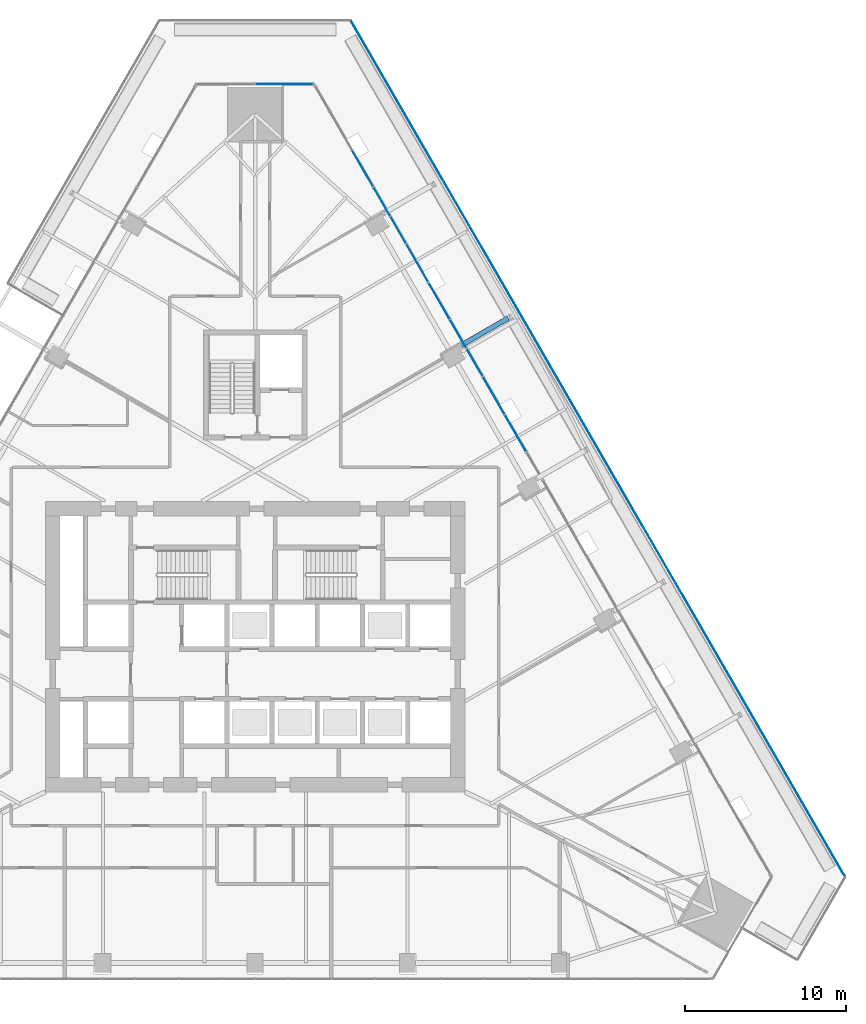
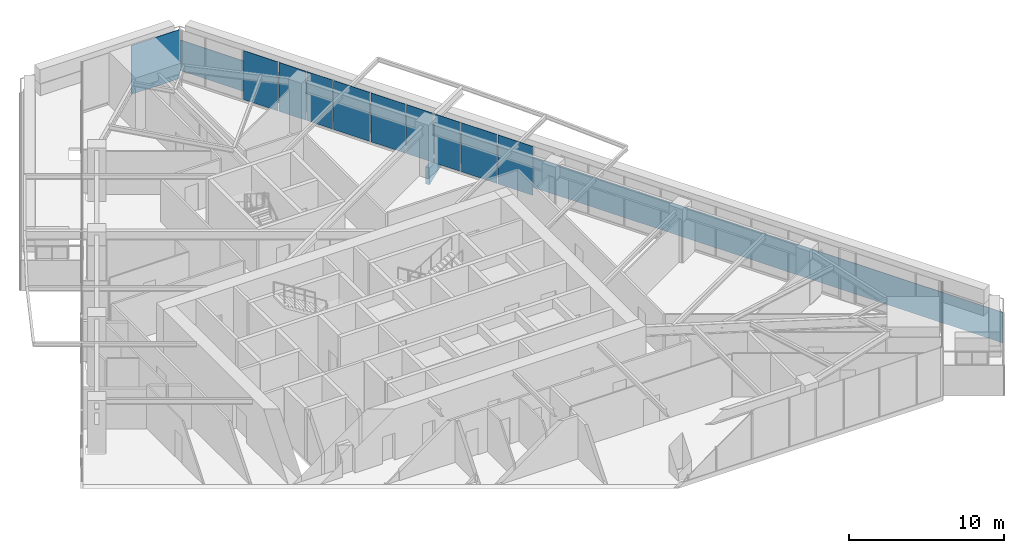
# One storey, part 18 of 29: 12 plates, 2 elements without a shape of their own.
"""IFC4 building model written with IfcOpenShell, lengths in metres."""

import ifcopenshell
import ifcopenshell.guid

model = None  # the IFC model being written
_history = None  # IfcOwnerHistory: only IFC2X3 demands one
_inside = {}  # id of a spatial element -> (the spatial element, [elements in it])
_under = {}  # id of a project, library or spatial element -> (it, [spatial elements below it])
_declared = {}  # id of a project -> (the project, [libraries it declares])
_typed = {}  # id of a type object -> (the type object, [elements of that type])
_made_of = {}  # id of a material, layer set ... -> (it, [elements and type objects made of it])


def new_model(schema):
    """Start an empty IFC model of exactly this schema.

    Asked for "IFC4X3", IfcOpenShell would pick the latest addendum, in which some entities
    have other attributes; the version numbers below select the first issue.
    IFC2X3 requires an IfcOwnerHistory on every rooted entity: one is made here for all.
    """
    global model, _history
    if schema == "IFC4X3":
        model = ifcopenshell.file(schema_version=(4, 3, 0, 0))
    else:
        model = ifcopenshell.file(schema=schema)
    _inside.clear()
    _under.clear()
    _declared.clear()
    _typed.clear()
    _made_of.clear()
    _history = None
    if model.schema == "IFC2X3":
        org = make("IfcOrganization", Name="unknown")
        user = make(
            "IfcPersonAndOrganization",
            ThePerson=make("IfcPerson", FamilyName="unknown"),
            TheOrganization=org,
        )
        app = make(
            "IfcApplication",
            ApplicationDeveloper=org,
            Version="unknown",
            ApplicationFullName="unknown",
            ApplicationIdentifier="unknown",
        )
        _history = make(
            "IfcOwnerHistory",
            OwningUser=user,
            OwningApplication=app,
            ChangeAction="ADDED",
            CreationDate=0,
        )
    return model


def make(cls, **values):
    """One entity of the class cls with the attributes given. An attribute that is None is left unset."""
    return model.create_entity(
        cls, **{name: value for name, value in values.items() if value is not None}
    )


def rooted(cls, **values):
    """An entity with a GlobalId (a new one), such as an element, a storey or a relation."""
    return make(cls, GlobalId=ifcopenshell.guid.new(), OwnerHistory=_history, **values)


def si_unit(unit_type, name, prefix=None):
    """IfcSIUnit, for example si_unit("LENGTHUNIT", "METRE", prefix="MILLI")."""
    return make("IfcSIUnit", UnitType=unit_type, Prefix=prefix, Name=name)


def assignment(units):
    """IfcUnitAssignment: the units of a project."""
    return None if units is None else make("IfcUnitAssignment", Units=units)


def point(xyz):
    """IfcCartesianPoint."""
    return None if xyz is None else make("IfcCartesianPoint", Coordinates=xyz)


def direction(xyz):
    """IfcDirection."""
    return None if xyz is None else make("IfcDirection", DirectionRatios=xyz)


def frame(location, z_axis=None, x_axis=None):
    """IfcAxis2Placement3D, a coordinate frame: its origin and axes. An axis left out is left unset."""
    return make(
        "IfcAxis2Placement3D",
        Location=point(location),
        Axis=direction(z_axis),
        RefDirection=direction(x_axis),
    )


def origin():
    """The frame at (0, 0, 0) with its axes left unset."""
    return frame((0.0, 0.0, 0.0))


def place(relative_to, where):
    """IfcLocalPlacement: puts the frame where relative to a parent placement (None: the world)."""
    return make(
        "IfcLocalPlacement", PlacementRelTo=relative_to, RelativePlacement=where
    )


def context(
    kind, dimensions, precision=None, world=None, true_north=None, identifier=None
):
    """IfcGeometricRepresentationContext, for example the 3D "Model" context."""
    return make(
        "IfcGeometricRepresentationContext",
        ContextIdentifier=identifier,
        ContextType=kind,
        CoordinateSpaceDimension=dimensions,
        Precision=precision,
        WorldCoordinateSystem=world,
        TrueNorth=true_north,
    )


def subcontext(parent, identifier, kind, view, scale=None):
    """IfcGeometricRepresentationSubContext, for example "Body" below "Model"."""
    return make(
        "IfcGeometricRepresentationSubContext",
        ContextIdentifier=identifier,
        ContextType=kind,
        ParentContext=parent,
        TargetScale=scale,
        TargetView=view,
    )


def project(units=None, contexts=None):
    """IfcProject with its units and contexts."""
    return rooted(
        "IfcProject",
        Name="project",
        RepresentationContexts=contexts,
        UnitsInContext=assignment(units),
    )


def spatial(cls, under=None, at=None, **own):
    """A site, building, storey or space (cls), placed at a placement, below another one or the project."""
    s = rooted(cls, ObjectPlacement=at, **own)
    if under is not None:
        _under.setdefault(under.id(), (under, []))[1].append(s)
    return s


def polyline(points):
    """IfcPolyline through the points."""
    return make("IfcPolyline", Points=[point(p) for p in points])


def outline(outer, holes=None, kind="AREA"):
    """IfcArbitraryClosedProfileDef: a profile drawn as a closed curve; with holes, ...WithVoids."""
    if holes is None:
        return make("IfcArbitraryClosedProfileDef", ProfileType=kind, OuterCurve=outer)
    return make(
        "IfcArbitraryProfileDefWithVoids",
        ProfileType=kind,
        OuterCurve=outer,
        InnerCurves=holes,
    )


def extrude(swept, where, along, depth):
    """IfcExtrudedAreaSolid: the profile swept, set in the frame where, extruded along a direction by depth."""
    return make(
        "IfcExtrudedAreaSolid",
        SweptArea=swept,
        Position=where,
        ExtrudedDirection=direction(along),
        Depth=depth,
    )


def shape(context_of_items, identifier, shape_type, items):
    """IfcShapeRepresentation: the items that make up one representation, for example the "Body"."""
    return make(
        "IfcShapeRepresentation",
        ContextOfItems=context_of_items,
        RepresentationIdentifier=identifier,
        RepresentationType=shape_type,
        Items=items,
    )


def material(Name=None, Category=None):
    """IfcMaterial."""
    return make("IfcMaterial", Name=Name, Category=Category)


def layer(
    of_material, thickness, ventilated=None, Name=None, Category=None, Priority=None
):
    """IfcMaterialLayer: one layer of a wall or slab, of a material (None: an air gap)."""
    return make(
        "IfcMaterialLayer",
        Material=of_material,
        LayerThickness=thickness,
        IsVentilated=ventilated,
        Name=Name,
        Category=Category,
        Priority=Priority,
    )


def layer_set(layers, Name=None):
    """IfcMaterialLayerSet."""
    return make("IfcMaterialLayerSet", MaterialLayers=layers, LayerSetName=Name)


def made_of(thing, what):
    """Note that an element or type object is made of a material, layer set ...; save() writes the relation."""
    if what is not None:
        _made_of.setdefault(what.id(), (what, []))[1].append(thing)
    return thing


def type_object(cls, material=None, **own):
    """A type object (cls), such as IfcWallType, which elements share."""
    return made_of(rooted(cls, **own), material)


def element(
    cls,
    number,
    at=None,
    inside=None,
    cuts=None,
    type_object=None,
    material=None,
    context=None,
    identifier="Body",
    shape_type=None,
    held_by="IfcProductDefinitionShape",
    body=None,
    shapes=None,
    **own,
):
    """One element of the class cls, such as IfcWall. Its Tag is "e" and its number.

    at: its placement. inside: the storey or other place that contains it. cuts: it is an
    opening in that element (IfcRelVoidsElement). A single representation is given by context,
    identifier, shape_type and body (its items); several are given by shapes. held_by: the class
    of the entity that holds the representations. save() writes the other relations.
    """
    e = rooted(cls, Tag="e%d" % number, ObjectPlacement=at, **own)
    if body is not None:
        shapes = [shape(context, identifier, shape_type, body)]
    if shapes is not None:
        e.Representation = make(held_by, Representations=shapes)
    if inside is not None:
        _inside.setdefault(inside.id(), (inside, []))[1].append(e)
    if cuts is not None:
        rooted(
            "IfcRelVoidsElement", RelatingBuildingElement=cuts, RelatedOpeningElement=e
        )
    if type_object is not None:
        _typed.setdefault(type_object.id(), (type_object, []))[1].append(e)
    return made_of(e, material)


def aggregate(whole, parts):
    """IfcRelAggregates: a whole, such as a stair, and the parts it consists of."""
    return rooted("IfcRelAggregates", RelatingObject=whole, RelatedObjects=parts)


def save(model, path):
    """Write the relations noted so far, then the file.

    IfcRelAggregates (storeys below a building ...), IfcRelContainedInSpatialStructure (elements
    in a storey), IfcRelDefinesByType, IfcRelAssociatesMaterial and IfcRelDeclares: one each for
    every whole, place, type object, material and project.
    """
    for whole, parts in _under.values():
        aggregate(whole, parts)
    for where, things in _inside.values():
        rooted(
            "IfcRelContainedInSpatialStructure",
            RelatedElements=things,
            RelatingStructure=where,
        )
    for kind, things in _typed.values():
        rooted("IfcRelDefinesByType", RelatedObjects=things, RelatingType=kind)
    for what, things in _made_of.values():
        rooted("IfcRelAssociatesMaterial", RelatedObjects=things, RelatingMaterial=what)
    for by, libraries in _declared.values():
        rooted("IfcRelDeclares", RelatingContext=by, RelatedDefinitions=libraries)
    model.write(path)


model = new_model("IFC4")

# Units and contexts
model_context = context("Model", 3, precision=1e-05, world=origin(), true_north=direction((0.0, 1.0)))
body_context = subcontext(model_context, "Body", "Model", "MODEL_VIEW")
ifc_project = project(units=[si_unit("LENGTHUNIT", "METRE"), si_unit("AREAUNIT", "SQUARE_METRE"), si_unit("VOLUMEUNIT", "CUBIC_METRE"), si_unit("PLANEANGLEUNIT", "RADIAN"), si_unit("MASSUNIT", "GRAM", prefix="KILO")], contexts=[model_context])

# Site, building, storey
site_placement = place(None, origin())
site = spatial("IfcSite", under=ifc_project, at=site_placement, CompositionType="ELEMENT")
building_placement = place(site_placement, origin())
building = spatial("IfcBuilding", under=site, at=building_placement, Name="Firuza Gate Tower and Library", CompositionType="ELEMENT")
storey_placement = place(building_placement, frame((0.0, 0.0, 82.0)))
storey = spatial("IfcBuildingStorey", under=building, at=storey_placement, Name="L18", CompositionType="ELEMENT", Elevation=82.0)

# Curtain wall, plate
ifc_material_1 = material(Name="Aluminium 6063-T6", Category="aluminium")
ifc_layer_1 = layer(ifc_material_1, 0.14990234375)
ifc_layer_set_1 = layer_set([ifc_layer_1], Name="Corner curtain wall, chamfers")
curtain_wall_type_1 = type_object("IfcCurtainWallType", Name="Corner curtain wall, chamfers", PredefinedType="NOTDEFINED", material=ifc_layer_set_1)
placement = place(storey_placement, origin())
curtain_wall_1 = element("IfcCurtainWall", 1, at=placement, inside=storey, type_object=curtain_wall_type_1, Name="CW4 L18 N corner", PredefinedType="NOTDEFINED")
ifc_material_2 = material(Name="Fritted glass", Category="glass")
ifc_layer_2 = layer(ifc_material_2, 0.030029296875)
ifc_layer_set_2 = layer_set([ifc_layer_2], Name="Fritted glass unit, corners")
plate_type_1 = type_object("IfcPlateType", Name="Fritted glass unit, corners", PredefinedType="CURTAIN_PANEL", material=ifc_layer_set_2)
plate_1_placement = place(storey_placement, frame((78.603271484375, 109.856201171875, 0.14990234375), z_axis=(0.0, 1.0, 0.0), x_axis=(-1.0, 0.0, 0.0)))
plate_1 = element("IfcPlate", 2, at=plate_1_placement, type_object=plate_type_1, Name="Glass unit", PredefinedType="CURTAIN_PANEL", context=body_context, shape_type="SweptSolid", body=[
    extrude(outline(polyline([(0.0, 0.0), (3.563232421875, 0.0), (3.563232421875, 3.85009765625), (0.0, 3.85009765625), (0.0, 0.0)])), origin(), (0.0, 0.0, -1.0), 0.030029296875),
])
aggregate(curtain_wall_1, [plate_1])

# Curtain wall, plates
ifc_material_3 = material(Name="Aluminium 6063-T6", Category="aluminium")
ifc_layer_3 = layer(ifc_material_3, 0.14990234375)
ifc_layer_set_3 = layer_set([ifc_layer_3], Name="Unitised curtain wall, offices")
curtain_wall_type_2 = type_object("IfcCurtainWallType", Name="Unitised curtain wall, offices", PredefinedType="NOTDEFINED", material=ifc_layer_set_3)
curtain_wall_2 = element("IfcCurtainWall", 3, at=placement, inside=storey, type_object=curtain_wall_type_2, Name="CW1 L18 E face", PredefinedType="NOTDEFINED")
ifc_material_4 = material(Name="Fritted glass", Category="glass")
ifc_layer_4 = layer(ifc_material_4, 0.030029296875)
ifc_layer_set_4 = layer_set([ifc_layer_4], Name="Fritted glass unit, offices")
plate_type_2 = type_object("IfcPlateType", Name="Fritted glass unit, offices", PredefinedType="CURTAIN_PANEL", material=ifc_layer_set_4)
plate_2_placement = place(storey_placement, frame((89.088134765625, 91.7802734375, 0.14990234375), z_axis=(0.866054481515, 0.499949632511, 0.0), x_axis=(-0.499949632511, 0.866054481515, 0.0)))
plate_2 = element("IfcPlate", 4, at=plate_2_placement, type_object=plate_type_2, Name="Glass unit", PredefinedType="CURTAIN_PANEL", context=body_context, shape_type="SweptSolid", body=[
    extrude(outline(polyline([(0.0, 0.0), (1.9225569499823523, 0.0), (1.9225569499823523, 3.85009765625), (0.0, 3.85009765625), (0.0, 0.0)])), origin(), (0.0, 0.0, -1.0), 0.030029296875),
])
plate_3_placement = place(storey_placement, frame((88.0869140625, 93.514404296875, 0.14990234375), z_axis=(0.866032532966, 0.499987651691, 0.0), x_axis=(-0.499987651691, 0.866032532966, 0.0)))
plate_3 = element("IfcPlate", 5, at=plate_3_placement, type_object=plate_type_2, Name="Glass unit", PredefinedType="CURTAIN_PANEL", context=body_context, shape_type="SweptSolid", body=[
    extrude(outline(polyline([(0.0, 0.0), (1.9922367015073577, 0.0), (1.9922367015073577, 3.85009765625), (0.0, 3.85009765625), (0.0, 0.0)])), origin(), (0.0, 0.0, -1.0), 0.030029296875),
])
plate_4_placement = place(storey_placement, frame((84.345458984375, 99.99462890625, 0.14990234375), z_axis=(0.866054227, 0.499950073403, 0.0), x_axis=(-0.499950073403, 0.866054227, 0.0)))
plate_4 = element("IfcPlate", 6, at=plate_4_placement, type_object=plate_type_2, Name="Glass unit", PredefinedType="CURTAIN_PANEL", context=body_context, shape_type="SweptSolid", body=[
    extrude(outline(polyline([(0.0, 0.0), (1.887883823729028, 0.0), (1.887883823729028, 3.85009765625), (0.0, 3.85009765625), (0.0, 0.0)])), origin(), (0.0, 0.0, -1.0), 0.030029296875),
])
plate_5_placement = place(storey_placement, frame((83.361572265625, 101.698974609375, 0.14990234375), z_axis=(0.866003030001, 0.500038750527, 0.0), x_axis=(-0.500038750527, 0.866003030001, 0.0)))
plate_5 = element("IfcPlate", 7, at=plate_5_placement, type_object=plate_type_2, Name="Glass unit", PredefinedType="CURTAIN_PANEL", context=body_context, shape_type="SweptSolid", body=[
    extrude(outline(polyline([(0.0, 0.0), (2.026698397489447, 0.0), (2.026698397489447, 3.85009765625), (0.0, 3.85009765625), (0.0, 0.0)])), origin(), (0.0, 0.0, -1.0), 0.030029296875),
])
ifc_material_5 = material(Name="Glazed ceramic tile")
ifc_layer_5 = layer(ifc_material_5, 0.030029296875)
ifc_layer_set_5 = layer_set([ifc_layer_5], Name="Opaque ceramic panel, offices")
plate_type_3 = type_object("IfcPlateType", Name="Opaque ceramic panel, offices", PredefinedType="CURTAIN_PANEL", material=ifc_layer_set_5)
plate_6_placement = place(storey_placement, frame((91.79345703125, 87.094482421875, 0.14990234375), z_axis=(0.866028133496, 0.499995271971, 0.0), x_axis=(-0.499995271971, 0.866028133496, 0.0)))
plate_6 = element("IfcPlate", 8, at=plate_6_placement, type_object=plate_type_3, Name="Opaque ceramic panel", PredefinedType="CURTAIN_PANEL", context=body_context, shape_type="SweptSolid", body=[
    extrude(outline(polyline([(0.0, 0.0), (2.607934817033456, 0.0), (2.607934817033456, 3.850097656250001), (0.0, 3.850097656250001), (0.0, 0.0)])), origin(), (0.0, 0.0, -1.0), 0.030029296875),
])
plate_7_placement = place(storey_placement, frame((90.449462890625, 89.42236328125, 0.14990234375), z_axis=(0.866028661061, 0.499994358189, 0.0), x_axis=(-0.499994358189, 0.866028661061, 0.0)))
plate_7 = element("IfcPlate", 9, at=plate_7_placement, type_object=plate_type_3, Name="Opaque ceramic panel", PredefinedType="CURTAIN_PANEL", context=body_context, shape_type="SweptSolid", body=[
    extrude(outline(polyline([(0.0, 0.0), (2.642607943189701, 0.0), (2.642607943189701, 3.85009765625), (0.0, 3.85009765625), (0.0, 0.0)])), origin(), (0.0, 0.0, -1.0), 0.030029296875),
])
plate_8_placement = place(storey_placement, frame((87.05078125, 95.308837890625, 0.14990234375), z_axis=(0.866027591713, 0.499996210378, 0.0), x_axis=(-0.499996210378, 0.866027591713, 0.0)))
plate_8 = element("IfcPlate", 10, at=plate_8_placement, type_object=plate_type_3, Name="Opaque ceramic panel", PredefinedType="CURTAIN_PANEL", context=body_context, shape_type="SweptSolid", body=[
    extrude(outline(polyline([(0.0, 0.0), (2.5732616908801926, 0.0), (2.5732616908801926, 3.85009765625), (0.0, 3.85009765625), (0.0, 0.0)])), origin(), (0.0, 0.0, -1.0), 0.030029296875),
])
plate_9_placement = place(storey_placement, frame((85.72412109375, 97.606689453125, 0.14990234375), z_axis=(0.86602917496, 0.499993468075, 0.0), x_axis=(-0.499993468075, 0.86602917496, 0.0)))
plate_9 = element("IfcPlate", 11, at=plate_9_placement, type_object=plate_type_3, Name="Opaque ceramic panel", PredefinedType="CURTAIN_PANEL", context=body_context, shape_type="SweptSolid", body=[
    extrude(outline(polyline([(0.0, 0.0), (2.677281069348812, 0.0), (2.677281069348812, 3.85009765625), (0.0, 3.85009765625), (0.0, 0.0)])), origin(), (0.0, 0.0, -1.0), 0.030029296875),
])
plate_10_placement = place(storey_placement, frame((82.30810546875, 103.5234375, 0.14990234375), z_axis=(0.866027035129, 0.499997174418, 0.0), x_axis=(-0.499997174418, 0.866027035129, 0.0)))
plate_10 = element("IfcPlate", 12, at=plate_10_placement, type_object=plate_type_3, Name="Opaque ceramic panel", PredefinedType="CURTAIN_PANEL", context=body_context, shape_type="SweptSolid", body=[
    extrude(outline(polyline([(0.0, 0.0), (2.5385885647300332, 0.0), (2.5385885647300332, 3.85009765625), (0.0, 3.85009765625), (0.0, 0.0)])), origin(), (0.0, 0.0, -1.0), 0.030029296875),
])
aggregate(curtain_wall_2, [plate_6, plate_7, plate_2, plate_3, plate_8, plate_9, plate_4, plate_5, plate_10])

# Plates
ifc_material_6 = material(Name="Steel S355", Category="steel")
ifc_layer_6 = layer(ifc_material_6, 0.300048828125)
ifc_layer_set_6 = layer_set([ifc_layer_6], Name="Tray bracket web 300 Steel S355")
plate_type_4 = type_object("IfcPlateType", Name="Tray bracket web 300 Steel S355", PredefinedType="SHEET", material=ifc_layer_set_6)
plate_11_placement = place(storey_placement, frame((87.631103515625, 93.764892578125, -0.199951171875), z_axis=(-0.500081895979, 0.865978115955, 0.0), x_axis=(0.865978115955, 0.500081895979, 0.0)))
element("IfcPlate", 13, at=plate_11_placement, inside=storey, type_object=plate_type_4, Name="Tray bracket web L18 col:L17:E4", PredefinedType="SHEET", context=body_context, shape_type="SweptSolid", body=[
    extrude(outline(polyline([(0.0, 0.0), (3.429614038049955, 0.0), (0.0, 1.333984375), (0.0, 0.0)])), origin(), (0.0, 0.0, -1.0), 0.300048828125),
])
ifc_material_7 = material(Name="Aluminium 6063-T6", Category="aluminium")
ifc_layer_7 = layer(ifc_material_7, 0.050048828125)
ifc_layer_set_7 = layer_set([ifc_layer_7], Name="Tray fascia panel 50")
plate_type_5 = type_object("IfcPlateType", Name="Tray fascia panel 50", PredefinedType="SHEET", material=ifc_layer_set_7)
plate_12_placement = place(storey_placement, frame((111.555908203125, 60.785888671875, -2.39990234375), z_axis=(0.866022229467, 0.500005498039, 0.0), x_axis=(-0.500005498039, 0.866022229467, 0.0)))
element("IfcPlate", 14, at=plate_12_placement, inside=storey, type_object=plate_type_5, Name="Tray fascia L18 2", PredefinedType="SHEET", context=body_context, shape_type="SweptSolid", body=[
    extrude(outline(polyline([(0.0, 0.0), (61.17510856374033, 0.0), (61.17510856374033, 2.39990234375), (0.0, 2.39990234375), (0.0, 0.0)])), origin(), (0.0, 0.0, -1.0), 0.050048828125),
])

save(model, "model.ifc")
